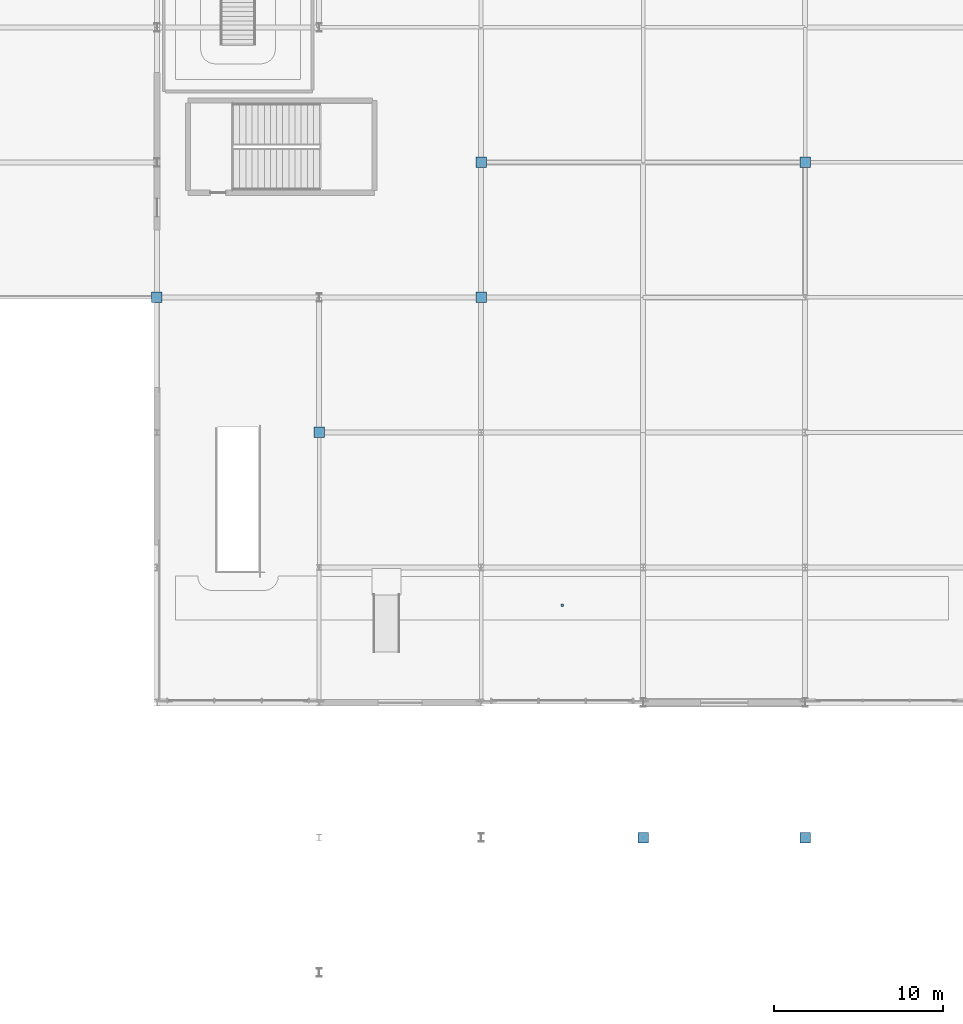
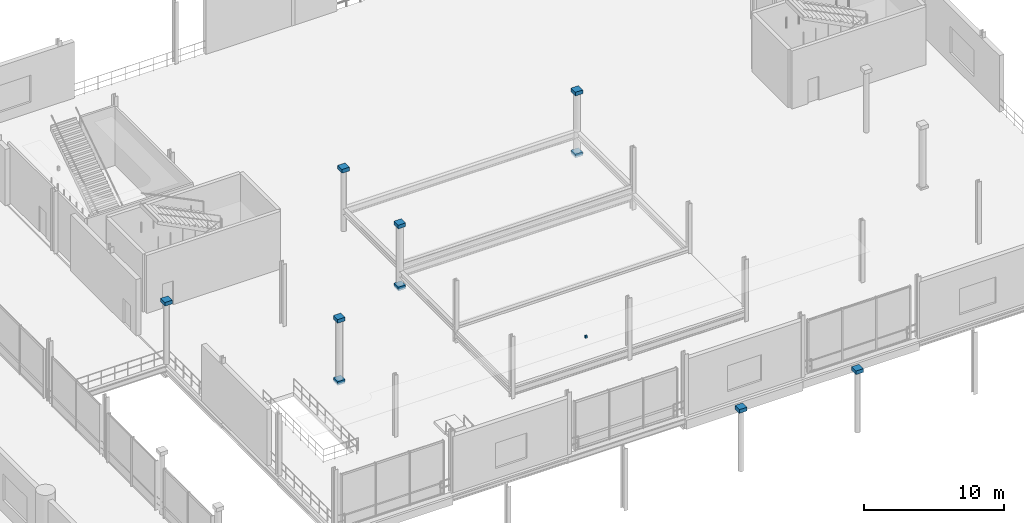
# One storey, part 97 of 129: 11 discrete accessories.
"""IFC4 building model written with IfcOpenShell, lengths in metres."""

from ifc_helpers import new_model, si_unit, direction, frame, origin, origin_2d, place, context, subcontext, project, spatial, rectangle, extrude, material, type_object, element, save


model = new_model("IFC4")

# Units and contexts
model_context = context("Model", 3, precision=1e-05, world=origin(), true_north=direction((0.0, 1.0)))
body_context = subcontext(model_context, "Body", "Model", "MODEL_VIEW")
ifc_project = project(units=[si_unit("LENGTHUNIT", "METRE"), si_unit("AREAUNIT", "SQUARE_METRE"), si_unit("VOLUMEUNIT", "CUBIC_METRE"), si_unit("PLANEANGLEUNIT", "RADIAN"), si_unit("MASSUNIT", "GRAM", prefix="KILO")], contexts=[model_context])

# Site, building, storey
site_placement = place(None, origin())
site = spatial("IfcSite", under=ifc_project, at=site_placement, CompositionType="ELEMENT")
building_placement = place(site_placement, origin())
building = spatial("IfcBuilding", under=site, at=building_placement, Name="Danafjord Basin Convention Centre", CompositionType="ELEMENT")
storey_placement = place(building_placement, frame((0.0, 0.0, 6.0)))
storey = spatial("IfcBuildingStorey", under=building, at=storey_placement, Name="L01", CompositionType="ELEMENT", Elevation=6.0)

# Discrete accessories
ifc_material_1 = material(Name="Stainless steel EN 1.4404", Category="steel")
discrete_accessory_type_1 = type_object("IfcDiscreteAccessoryType", Name="ACC-FIN-BRK", PredefinedType="BRACKET", material=ifc_material_1)
discrete_accessory_placement = place(storey_placement, frame((158.39990234375, 93.77001953125, 4.85986328125), z_axis=(0.0, 0.0, 1.0), x_axis=(1.0, 0.0, 0.0)))
element("IfcDiscreteAccessory", 1, at=discrete_accessory_placement, inside=storey, type_object=discrete_accessory_type_1, Name="Suspended ceiling steel hanger assembly", PredefinedType="BRACKET", context=body_context, shape_type="SweptSolid", body=[
    extrude(rectangle(XDim=0.159912109375, YDim=0.159912109375, at=origin_2d()), origin(), (0.0, 0.0, 1.0), 0.199951171875),
])
ifc_material_2 = material(Name="Steel S355", Category="steel")
discrete_accessory_type_2 = type_object("IfcDiscreteAccessoryType", Name="ACC-SF-HUB", PredefinedType="BRACKET", material=ifc_material_2)
for number, where, z_axis, x_axis, name in (
    (2, (134.39990234375, 112.0, 5.23974609375), (0.0, 0.0, 1.0), (1.0, 0.0, 0.0), "Tubular steel column top cap plate"),
    (3, (144.0, 104.0, -0.16015625), (0.0, 0.0, 1.0), (1.0, 0.0, 0.0), "Tubular steel column transition collar"),
    (4, (144.0, 104.0, 5.23974609375), (0.0, 0.0, 1.0), (1.0, 0.0, 0.0), "Tubular steel column top cap plate"),
    (5, (153.60009765625, 112.0, -0.16015625), (0.0, 0.0, 1.0), (1.0, 0.0, 0.0), "Tubular steel column transition collar"),
    (6, (153.60009765625, 112.0, 5.23974609375), (0.0, 0.0, 1.0), (1.0, 0.0, 0.0), "Tubular steel column top cap plate"),
    (7, (153.60009765625, 120.0, 5.23974609375), (0.0, 0.0, 1.0), (1.0, 0.0, 0.0), "Tubular steel column top cap plate"),
    (8, (163.199951171875, 80.0, 5.23974609375), (0.0, 0.0, 1.0), (1.0, 0.0, 0.0), "Tubular steel column top cap plate"),
    (9, (172.800048828125, 80.0, 5.23974609375), (0.0, 0.0, 1.0), (1.0, 0.0, 0.0), "Tubular steel column top cap plate"),
    (10, (172.800048828125, 120.0, -0.16015625), (0.0, 0.0, 1.0), (1.0, 0.0, 0.0), "Tubular steel column transition collar"),
    (11, (172.800048828125, 120.0, 5.23974609375), (0.0, 0.0, 1.0), (1.0, 0.0, 0.0), "Tubular steel column top cap plate"),
):
    element("IfcDiscreteAccessory", number, at=place(storey_placement, frame(where, z_axis=z_axis, x_axis=x_axis)), inside=storey, type_object=discrete_accessory_type_2, Name=name, PredefinedType="BRACKET", context=body_context, shape_type="SweptSolid", body=[
        extrude(rectangle(XDim=0.6201171875, YDim=0.6201171875, at=origin_2d()), origin(), (0.0, 0.0, 1.0), 0.320068359375),
    ])

save(model, "model.ifc")
